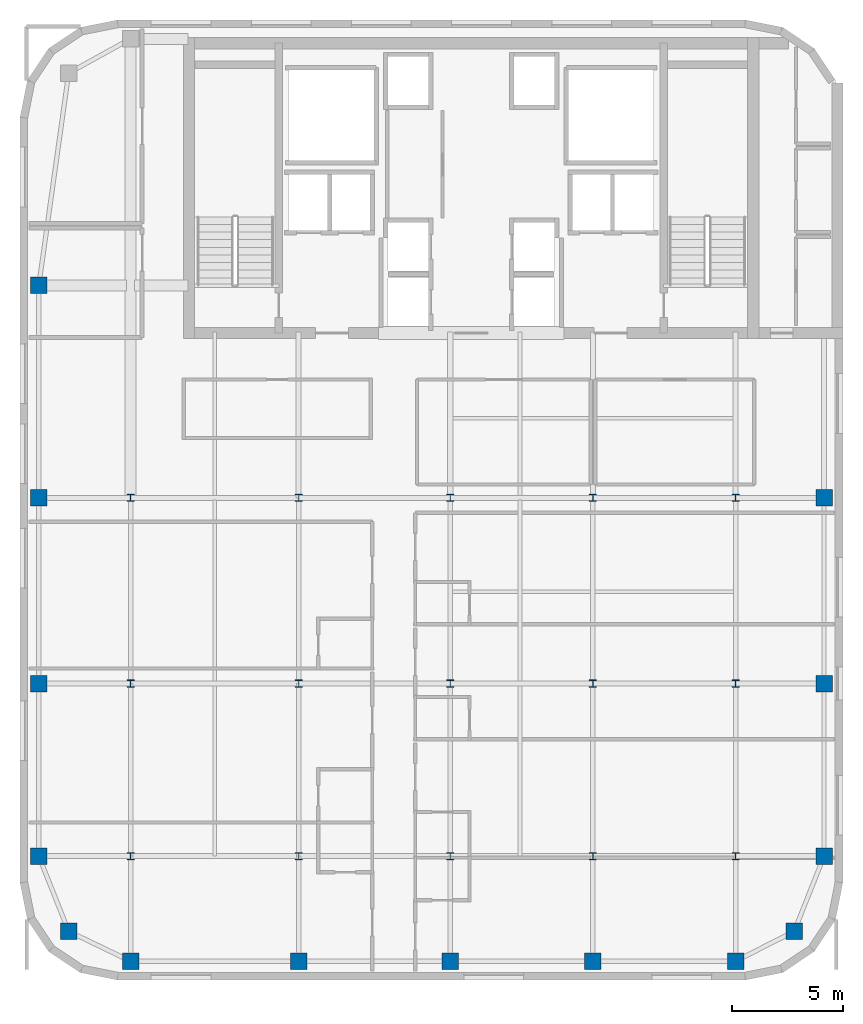
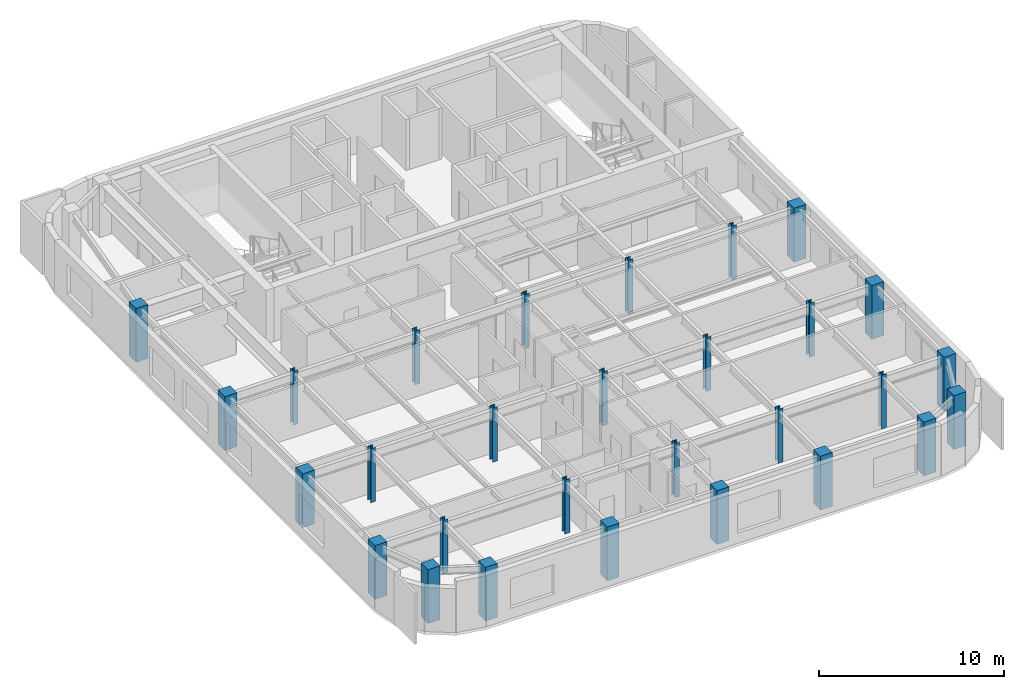
# One storey, part 1 of 8: 29 columns.
"""IFC4 building model written with IfcOpenShell, lengths in metres."""

from ifc_helpers import new_model, si_unit, direction, frame, origin, origin_2d, place, context, subcontext, project, spatial, rectangle, i_section, extrude, source, transform, mapped, material, material_profile, profile_set, type_object, type_shapes, element, save


model = new_model("IFC4")

# Units and contexts
model_context = context("Model", 3, precision=1e-05, world=origin(), true_north=direction((0.0, 1.0)))
body_context = subcontext(model_context, "Body", "Model", "MODEL_VIEW")
ifc_project = project(units=[si_unit("LENGTHUNIT", "METRE"), si_unit("AREAUNIT", "SQUARE_METRE"), si_unit("VOLUMEUNIT", "CUBIC_METRE"), si_unit("PLANEANGLEUNIT", "RADIAN"), si_unit("MASSUNIT", "GRAM", prefix="KILO")], contexts=[model_context])

# Site, building, storey
site_placement = place(None, origin())
site = spatial("IfcSite", under=ifc_project, at=site_placement, CompositionType="ELEMENT")
building_placement = place(site_placement, origin())
building = spatial("IfcBuilding", under=site, at=building_placement, Name="Tolvann Quenvar Hotel", CompositionType="ELEMENT")
storey_placement = place(building_placement, frame((0.0, 0.0, 231.0)))
storey = spatial("IfcBuildingStorey", under=building, at=storey_placement, Name="L61", CompositionType="ELEMENT", Elevation=231.0)

# Columns
ifc_material_1 = material(Name="Concrete N50 (50 MPa)", Category="concrete")
ifc_material_profile_1 = material_profile(ifc_material_1, rectangle(XDim=0.75, YDim=0.75, at=origin_2d()), Name="RC750x750")
ifc_profile_set_1 = profile_set([ifc_material_profile_1], Name="Concrete N50 (50 MPa)")
column_type_1 = type_object("IfcColumnType", Name="COL_RC750", PredefinedType="COLUMN", material=ifc_profile_set_1)
shared_shape_1 = source(origin(), body_context, "Body", "SweptSolid", [
    extrude(rectangle(XDim=0.75, YDim=0.75, at=origin_2d()), origin(), (0.0, 0.0, 1.0), 3.550048828125),
])
type_shapes(column_type_1, [shared_shape_1])
for number, where, z_axis, x_axis, name in (
    (1, (4.800048828125, 4.800048828125, 0.0), (0.0, 0.0, 1.0), (1.0, 0.0, 0.0), "Column B2 (L61)"),
    (2, (3.449951171875, 8.199951171875, 0.0), (0.0, 0.0, 1.0), (1.0, 0.0, 0.0), "Column B3 (L61)"),
    (3, (3.449951171875, 16.0, 0.0), (0.0, 0.0, 1.0), (1.0, 0.0, 0.0), "Column B4 (L61)"),
    (4, (3.449951171875, 24.39990234375, 0.0), (0.0, 0.0, 1.0), (1.0, 0.0, 0.0), "Column B5 (L61)"),
    (5, (7.60009765625, 3.449951171875, 0.0), (0.0, 0.0, 1.0), (1.0, 0.0, 0.0), "Column C2 (L61)"),
    (6, (15.199951171875, 3.449951171875, 0.0), (0.0, 0.0, 1.0), (1.0, 0.0, 0.0), "Column D2 (L61)"),
    (7, (22.050048828125, 3.449951171875, 0.0), (0.0, 0.0, 1.0), (1.0, 0.0, 0.0), "Column E2 (L61)"),
    (8, (28.5, 3.449951171875, 0.0), (0.0, 0.0, 1.0), (1.0, 0.0, 0.0), "Column M2 (L61)"),
    (9, (34.949951171875, 3.449951171875, 0.0), (0.0, 0.0, 1.0), (1.0, 0.0, 0.0), "Column F2 (L61)"),
    (10, (37.60009765625, 4.800048828125, 0.0), (0.0, 0.0, 1.0), (1.0, 0.0, 0.0), "Column G2 (L61)"),
    (11, (38.949951171875, 8.199951171875, 0.0), (0.0, 0.0, 1.0), (1.0, 0.0, 0.0), "Column G3 (L61)"),
    (12, (38.949951171875, 16.0, 0.0), (0.0, 0.0, 1.0), (1.0, 0.0, 0.0), "Column G4 (L61)"),
    (13, (38.949951171875, 24.39990234375, 0.0), (0.0, 0.0, 1.0), (1.0, 0.0, 0.0), "Column G5 (L61)"),
    (14, (3.449951171875, 34.0, 0.0), (0.0, 0.0, 1.0), (1.0, 0.0, 0.0), "Column BD6 (L61)"),
):
    element("IfcColumn", number, at=place(storey_placement, frame(where, z_axis=z_axis, x_axis=x_axis)), inside=storey, type_object=column_type_1, Name=name, PredefinedType="COLUMN", context=body_context, shape_type="MappedRepresentation", body=[
        mapped(shared_shape_1, transform((0.0, 0.0, 0.0), x_axis=(1.0, 0.0, 0.0), y_axis=(0.0, 1.0, 0.0), z_axis=(0.0, 0.0, 1.0), scale=1.0)),
    ])
ifc_material_2 = material(Name="Steel Grade 350", Category="steel")
ifc_material_profile_2 = material_profile(ifc_material_2, i_section(OverallWidth=0.31103515625, OverallDepth=0.326904296875, WebThickness=0.015625, FlangeThickness=0.02490234375, FilletRadius=0.0166015625, at=origin_2d()), Name="310UC158")
ifc_profile_set_2 = profile_set([ifc_material_profile_2], Name="Steel Grade 350")
column_type_2 = type_object("IfcColumnType", Name="COL_310UC158", PredefinedType="COLUMN", material=ifc_profile_set_2)
shared_shape_2 = source(origin(), body_context, "Body", "SweptSolid", [
    extrude(i_section(OverallWidth=0.31103515625, OverallDepth=0.326904296875, WebThickness=0.015625, FlangeThickness=0.02490234375, FilletRadius=0.0166015625, at=origin_2d()), origin(), (0.0, 0.0, 1.0), 3.550048828125),
])
type_shapes(column_type_2, [shared_shape_2])
for number, where, z_axis, x_axis, name in (
    (15, (7.60009765625, 8.199951171875, 0.0), (0.0, 0.0, 1.0), (1.0, 0.0, 0.0), "Column C3 (L61)"),
    (16, (7.60009765625, 16.0, 0.0), (0.0, 0.0, 1.0), (1.0, 0.0, 0.0), "Column C4 (L61)"),
    (17, (7.60009765625, 24.39990234375, 0.0), (0.0, 0.0, 1.0), (1.0, 0.0, 0.0), "Column C5 (L61)"),
    (18, (15.199951171875, 8.199951171875, 0.0), (0.0, 0.0, 1.0), (1.0, 0.0, 0.0), "Column D3 (L61)"),
    (19, (15.199951171875, 16.0, 0.0), (0.0, 0.0, 1.0), (1.0, 0.0, 0.0), "Column D4 (L61)"),
    (20, (15.199951171875, 24.39990234375, 0.0), (0.0, 0.0, 1.0), (1.0, 0.0, 0.0), "Column D5 (L61)"),
    (21, (22.050048828125, 8.199951171875, 0.0), (0.0, 0.0, 1.0), (1.0, 0.0, 0.0), "Column E3 (L61)"),
    (22, (22.050048828125, 16.0, 0.0), (0.0, 0.0, 1.0), (1.0, 0.0, 0.0), "Column E4 (L61)"),
    (23, (22.050048828125, 24.39990234375, 0.0), (0.0, 0.0, 1.0), (1.0, 0.0, 0.0), "Column E5 (L61)"),
    (24, (28.5, 8.199951171875, 0.0), (0.0, 0.0, 1.0), (1.0, 0.0, 0.0), "Column M3 (L61)"),
    (25, (28.5, 16.0, 0.0), (0.0, 0.0, 1.0), (1.0, 0.0, 0.0), "Column M4 (L61)"),
    (26, (28.5, 24.39990234375, 0.0), (0.0, 0.0, 1.0), (1.0, 0.0, 0.0), "Column M5 (L61)"),
    (27, (34.949951171875, 8.199951171875, 0.0), (0.0, 0.0, 1.0), (1.0, 0.0, 0.0), "Column F3 (L61)"),
    (28, (34.949951171875, 16.0, 0.0), (0.0, 0.0, 1.0), (1.0, 0.0, 0.0), "Column F4 (L61)"),
    (29, (34.949951171875, 24.39990234375, 0.0), (0.0, 0.0, 1.0), (1.0, 0.0, 0.0), "Column F5 (L61)"),
):
    element("IfcColumn", number, at=place(storey_placement, frame(where, z_axis=z_axis, x_axis=x_axis)), inside=storey, type_object=column_type_2, Name=name, PredefinedType="COLUMN", context=body_context, shape_type="MappedRepresentation", body=[
        mapped(shared_shape_2, transform((0.0, 0.0, 0.0), x_axis=(1.0, 0.0, 0.0), y_axis=(0.0, 1.0, 0.0), z_axis=(0.0, 0.0, 1.0), scale=1.0)),
    ])

save(model, "model.ifc")
